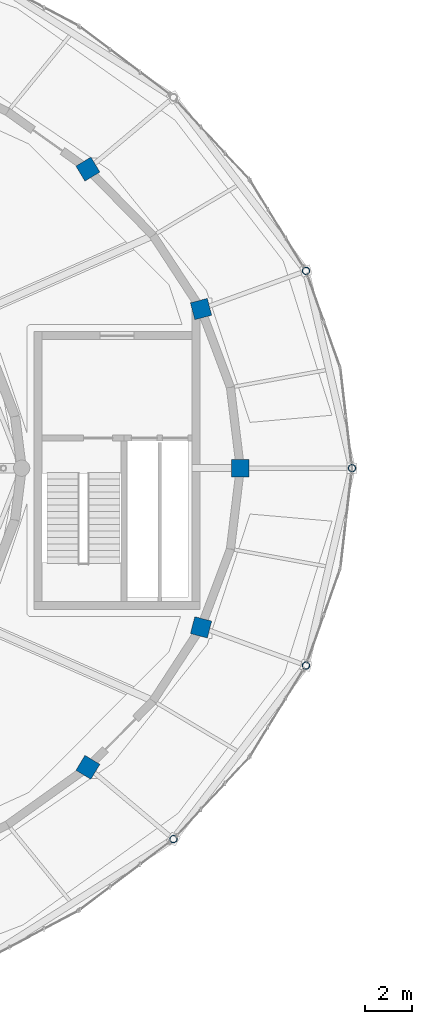
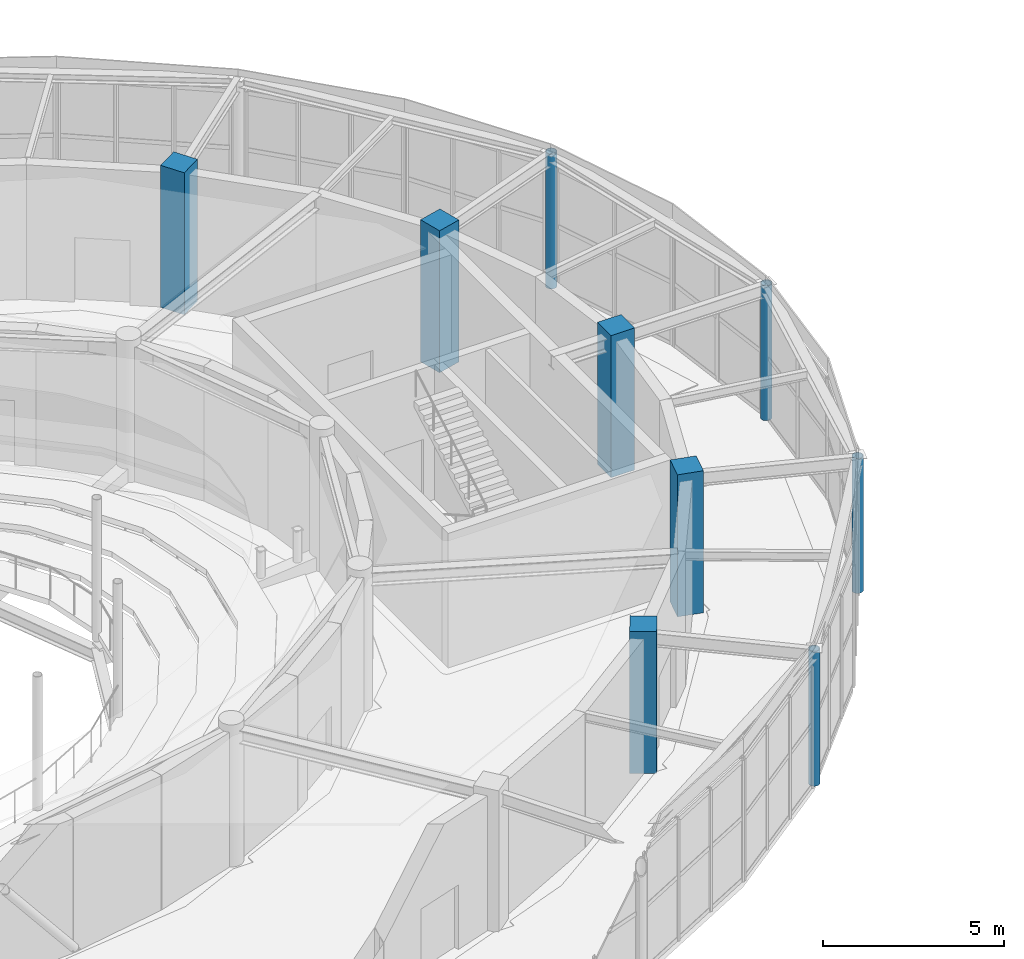
# One storey, part 8 of 108: 9 columns.
"""IFC4 building model written with IfcOpenShell, lengths in metres."""

import ifcopenshell
import ifcopenshell.guid

model = None  # the IFC model being written
_history = None  # IfcOwnerHistory: only IFC2X3 demands one
_inside = {}  # id of a spatial element -> (the spatial element, [elements in it])
_under = {}  # id of a project, library or spatial element -> (it, [spatial elements below it])
_declared = {}  # id of a project -> (the project, [libraries it declares])
_typed = {}  # id of a type object -> (the type object, [elements of that type])
_made_of = {}  # id of a material, layer set ... -> (it, [elements and type objects made of it])


def new_model(schema):
    """Start an empty IFC model of exactly this schema.

    Asked for "IFC4X3", IfcOpenShell would pick the latest addendum, in which some entities
    have other attributes; the version numbers below select the first issue.
    IFC2X3 requires an IfcOwnerHistory on every rooted entity: one is made here for all.
    """
    global model, _history
    if schema == "IFC4X3":
        model = ifcopenshell.file(schema_version=(4, 3, 0, 0))
    else:
        model = ifcopenshell.file(schema=schema)
    _inside.clear()
    _under.clear()
    _declared.clear()
    _typed.clear()
    _made_of.clear()
    _history = None
    if model.schema == "IFC2X3":
        org = make("IfcOrganization", Name="unknown")
        user = make(
            "IfcPersonAndOrganization",
            ThePerson=make("IfcPerson", FamilyName="unknown"),
            TheOrganization=org,
        )
        app = make(
            "IfcApplication",
            ApplicationDeveloper=org,
            Version="unknown",
            ApplicationFullName="unknown",
            ApplicationIdentifier="unknown",
        )
        _history = make(
            "IfcOwnerHistory",
            OwningUser=user,
            OwningApplication=app,
            ChangeAction="ADDED",
            CreationDate=0,
        )
    return model


def make(cls, **values):
    """One entity of the class cls with the attributes given. An attribute that is None is left unset."""
    return model.create_entity(
        cls, **{name: value for name, value in values.items() if value is not None}
    )


def rooted(cls, **values):
    """An entity with a GlobalId (a new one), such as an element, a storey or a relation."""
    return make(cls, GlobalId=ifcopenshell.guid.new(), OwnerHistory=_history, **values)


def si_unit(unit_type, name, prefix=None):
    """IfcSIUnit, for example si_unit("LENGTHUNIT", "METRE", prefix="MILLI")."""
    return make("IfcSIUnit", UnitType=unit_type, Prefix=prefix, Name=name)


def assignment(units):
    """IfcUnitAssignment: the units of a project."""
    return None if units is None else make("IfcUnitAssignment", Units=units)


def point(xyz):
    """IfcCartesianPoint."""
    return None if xyz is None else make("IfcCartesianPoint", Coordinates=xyz)


def direction(xyz):
    """IfcDirection."""
    return None if xyz is None else make("IfcDirection", DirectionRatios=xyz)


def frame(location, z_axis=None, x_axis=None):
    """IfcAxis2Placement3D, a coordinate frame: its origin and axes. An axis left out is left unset."""
    return make(
        "IfcAxis2Placement3D",
        Location=point(location),
        Axis=direction(z_axis),
        RefDirection=direction(x_axis),
    )


def frame_2d(location, x_axis=None):
    """IfcAxis2Placement2D, a coordinate frame in the plane: its origin and x axis."""
    return make(
        "IfcAxis2Placement2D", Location=point(location), RefDirection=direction(x_axis)
    )


def origin():
    """The frame at (0, 0, 0) with its axes left unset."""
    return frame((0.0, 0.0, 0.0))


def origin_2d():
    """The frame at (0, 0) in the plane with its x axis left unset."""
    return frame_2d((0.0, 0.0))


def place(relative_to, where):
    """IfcLocalPlacement: puts the frame where relative to a parent placement (None: the world)."""
    return make(
        "IfcLocalPlacement", PlacementRelTo=relative_to, RelativePlacement=where
    )


def context(
    kind, dimensions, precision=None, world=None, true_north=None, identifier=None
):
    """IfcGeometricRepresentationContext, for example the 3D "Model" context."""
    return make(
        "IfcGeometricRepresentationContext",
        ContextIdentifier=identifier,
        ContextType=kind,
        CoordinateSpaceDimension=dimensions,
        Precision=precision,
        WorldCoordinateSystem=world,
        TrueNorth=true_north,
    )


def subcontext(parent, identifier, kind, view, scale=None):
    """IfcGeometricRepresentationSubContext, for example "Body" below "Model"."""
    return make(
        "IfcGeometricRepresentationSubContext",
        ContextIdentifier=identifier,
        ContextType=kind,
        ParentContext=parent,
        TargetScale=scale,
        TargetView=view,
    )


def project(units=None, contexts=None):
    """IfcProject with its units and contexts."""
    return rooted(
        "IfcProject",
        Name="project",
        RepresentationContexts=contexts,
        UnitsInContext=assignment(units),
    )


def spatial(cls, under=None, at=None, **own):
    """A site, building, storey or space (cls), placed at a placement, below another one or the project."""
    s = rooted(cls, ObjectPlacement=at, **own)
    if under is not None:
        _under.setdefault(under.id(), (under, []))[1].append(s)
    return s


def profile(cls, at=None, kind="AREA", **sizes):
    """A parametric profile (cls). Its sizes go by their IFC names, for example OverallWidth=200.0."""
    return make(cls, ProfileType=kind, Position=at, **sizes)


def rectangle(**sizes):
    """IfcRectangleProfileDef."""
    return profile("IfcRectangleProfileDef", **sizes)


def hollow_circle(**sizes):
    """IfcCircleHollowProfileDef."""
    return profile("IfcCircleHollowProfileDef", **sizes)


def extrude(swept, where, along, depth):
    """IfcExtrudedAreaSolid: the profile swept, set in the frame where, extruded along a direction by depth."""
    return make(
        "IfcExtrudedAreaSolid",
        SweptArea=swept,
        Position=where,
        ExtrudedDirection=direction(along),
        Depth=depth,
    )


def shape(context_of_items, identifier, shape_type, items):
    """IfcShapeRepresentation: the items that make up one representation, for example the "Body"."""
    return make(
        "IfcShapeRepresentation",
        ContextOfItems=context_of_items,
        RepresentationIdentifier=identifier,
        RepresentationType=shape_type,
        Items=items,
    )


def material(Name=None, Category=None):
    """IfcMaterial."""
    return make("IfcMaterial", Name=Name, Category=Category)


def material_profile(
    of_material, cross_section, Name=None, Category=None, Priority=None
):
    """IfcMaterialProfile: a cross section and its material."""
    return make(
        "IfcMaterialProfile",
        Name=Name,
        Material=of_material,
        Profile=cross_section,
        Priority=Priority,
        Category=Category,
    )


def profile_set(profiles, Name=None, composite=None):
    """IfcMaterialProfileSet."""
    return make(
        "IfcMaterialProfileSet",
        Name=Name,
        MaterialProfiles=profiles,
        CompositeProfile=composite,
    )


def made_of(thing, what):
    """Note that an element or type object is made of a material, layer set ...; save() writes the relation."""
    if what is not None:
        _made_of.setdefault(what.id(), (what, []))[1].append(thing)
    return thing


def type_object(cls, material=None, **own):
    """A type object (cls), such as IfcWallType, which elements share."""
    return made_of(rooted(cls, **own), material)


def element(
    cls,
    number,
    at=None,
    inside=None,
    cuts=None,
    type_object=None,
    material=None,
    context=None,
    identifier="Body",
    shape_type=None,
    held_by="IfcProductDefinitionShape",
    body=None,
    shapes=None,
    **own,
):
    """One element of the class cls, such as IfcWall. Its Tag is "e" and its number.

    at: its placement. inside: the storey or other place that contains it. cuts: it is an
    opening in that element (IfcRelVoidsElement). A single representation is given by context,
    identifier, shape_type and body (its items); several are given by shapes. held_by: the class
    of the entity that holds the representations. save() writes the other relations.
    """
    e = rooted(cls, Tag="e%d" % number, ObjectPlacement=at, **own)
    if body is not None:
        shapes = [shape(context, identifier, shape_type, body)]
    if shapes is not None:
        e.Representation = make(held_by, Representations=shapes)
    if inside is not None:
        _inside.setdefault(inside.id(), (inside, []))[1].append(e)
    if cuts is not None:
        rooted(
            "IfcRelVoidsElement", RelatingBuildingElement=cuts, RelatedOpeningElement=e
        )
    if type_object is not None:
        _typed.setdefault(type_object.id(), (type_object, []))[1].append(e)
    return made_of(e, material)


def aggregate(whole, parts):
    """IfcRelAggregates: a whole, such as a stair, and the parts it consists of."""
    return rooted("IfcRelAggregates", RelatingObject=whole, RelatedObjects=parts)


def save(model, path):
    """Write the relations noted so far, then the file.

    IfcRelAggregates (storeys below a building ...), IfcRelContainedInSpatialStructure (elements
    in a storey), IfcRelDefinesByType, IfcRelAssociatesMaterial and IfcRelDeclares: one each for
    every whole, place, type object, material and project.
    """
    for whole, parts in _under.values():
        aggregate(whole, parts)
    for where, things in _inside.values():
        rooted(
            "IfcRelContainedInSpatialStructure",
            RelatedElements=things,
            RelatingStructure=where,
        )
    for kind, things in _typed.values():
        rooted("IfcRelDefinesByType", RelatedObjects=things, RelatingType=kind)
    for what, things in _made_of.values():
        rooted("IfcRelAssociatesMaterial", RelatedObjects=things, RelatingMaterial=what)
    for by, libraries in _declared.values():
        rooted("IfcRelDeclares", RelatingContext=by, RelatedDefinitions=libraries)
    model.write(path)


model = new_model("IFC4")

# Units and contexts
model_context = context("Model", 3, precision=1e-05, world=origin(), true_north=direction((0.0, 1.0)))
body_context = subcontext(model_context, "Body", "Model", "MODEL_VIEW")
ifc_project = project(units=[si_unit("LENGTHUNIT", "METRE"), si_unit("AREAUNIT", "SQUARE_METRE"), si_unit("VOLUMEUNIT", "CUBIC_METRE"), si_unit("PLANEANGLEUNIT", "RADIAN"), si_unit("MASSUNIT", "GRAM", prefix="KILO")], contexts=[model_context])

# Site, building, storey
site_placement = place(None, origin())
site = spatial("IfcSite", under=ifc_project, at=site_placement, CompositionType="ELEMENT")
building_placement = place(site_placement, origin())
building = spatial("IfcBuilding", under=site, at=building_placement, Name="Tarnveldt Headland Concert Hall", CompositionType="ELEMENT")
storey_placement = place(building_placement, frame((0.0, 0.0, 9.60009765625)))
storey = spatial("IfcBuildingStorey", under=building, at=storey_placement, Name="L02", CompositionType="ELEMENT", Elevation=9.60009765625)

# Columns
ifc_material_1 = material(Name="Concrete C40/50", Category="concrete")
ifc_material_profile_1 = material_profile(ifc_material_1, rectangle(XDim=0.75, YDim=0.75, at=origin_2d()), Name="RC 750x750", Category="concrete")
ifc_profile_set_1 = profile_set([ifc_material_profile_1], Name="Concrete C40/50")
column_type_1 = type_object("IfcColumnType", Name="CC-750", PredefinedType="COLUMN", material=ifc_profile_set_1)
for number, where, z_axis, x_axis, name in (
    (1, (111.5, 54.5, 0.0), (0.0, 0.0, 1.0), (1.0, 0.0, 0.0), "Column V2DC01 L02"),
    (2, (109.811279296875, 61.34033203125, 0.0), (0.0, 0.0, 1.0), (0.967841021032, 0.251562632376, 0.0), "Column V2DC02 L02"),
    (3, (104.94921875, 67.355712890625, 0.0), (0.0, 0.0, 1.0), (0.85770617722, 0.514140169175, 0.0), "Column V2DC03 L02"),
    (4, (104.94921875, 41.644287109375, 0.0), (0.0, 0.0, 1.0), (0.85770617722, -0.514140169175, 0.0), "Column V2DC17 L02"),
    (5, (109.811279296875, 47.65966796875, 0.0), (0.0, 0.0, 1.0), (0.967841021032, -0.251562632376, 0.0), "Column V2DC18 L02"),
):
    element("IfcColumn", number, at=place(storey_placement, frame(where, z_axis=z_axis, x_axis=x_axis)), inside=storey, type_object=column_type_1, Name=name, PredefinedType="COLUMN", context=body_context, shape_type="SweptSolid", body=[
        extrude(rectangle(XDim=0.75, YDim=0.75, at=origin_2d()), origin(), (0.0, 0.0, 1.0), 4.7998046875),
    ])
ifc_material_2 = material(Name="Steel S355", Category="steel")
ifc_material_profile_2 = material_profile(ifc_material_2, hollow_circle(Radius=0.161865234375, WallThickness=0.02001953125, at=origin_2d()), Name="CHS 323.9x20", Category="steel")
ifc_profile_set_2 = profile_set([ifc_material_profile_2], Name="Steel S355")
column_type_2 = type_object("IfcColumnType", Name="SC-CHS323", PredefinedType="COLUMN", material=ifc_profile_set_2)
for number, where, z_axis, x_axis, name in (
    (6, (116.300048828125, 54.5, 0.0), (0.0, 0.0, 1.0), (1.0, 0.0, 0.0), "Column V1C01 L02"),
    (7, (114.322021484375, 62.982177734375, 0.0), (0.0, 0.0, 1.0), (0.964141737836, 0.265387847052, 0.0), "Column V1C02 L02"),
    (8, (108.626220703125, 38.558837890625, 0.0), (0.0, 0.0, 1.0), (0.84442143206, -0.535679423796, 0.0), "Column V1C17 L02"),
    (9, (114.322021484375, 46.017822265625, 0.0), (0.0, 0.0, 1.0), (0.964141737836, -0.265387847052, 0.0), "Column V1C18 L02"),
):
    element("IfcColumn", number, at=place(storey_placement, frame(where, z_axis=z_axis, x_axis=x_axis)), inside=storey, type_object=column_type_2, Name=name, PredefinedType="COLUMN", context=body_context, shape_type="SweptSolid", body=[
        extrude(hollow_circle(Radius=0.161865234375, WallThickness=0.02001953125, at=origin_2d()), origin(), (0.0, 0.0, 1.0), 4.5498046875),
    ])

save(model, "model.ifc")
